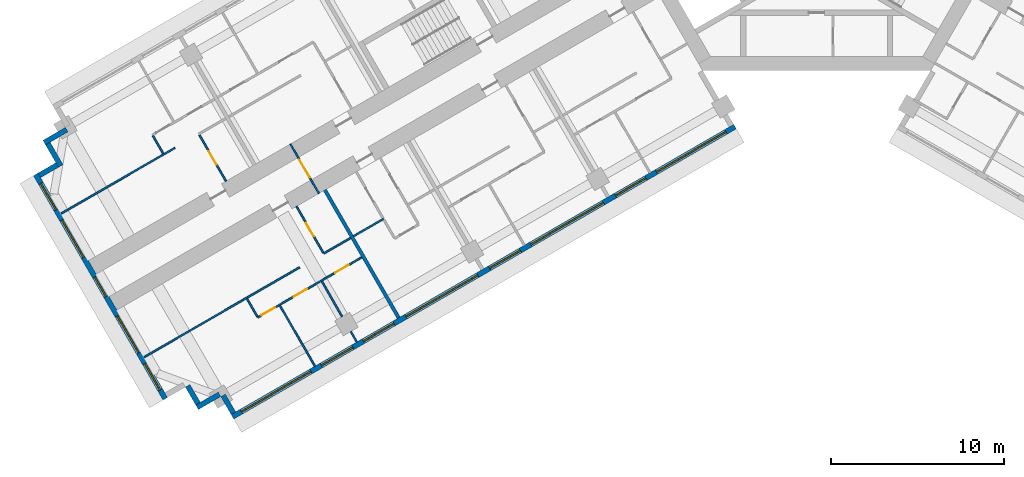
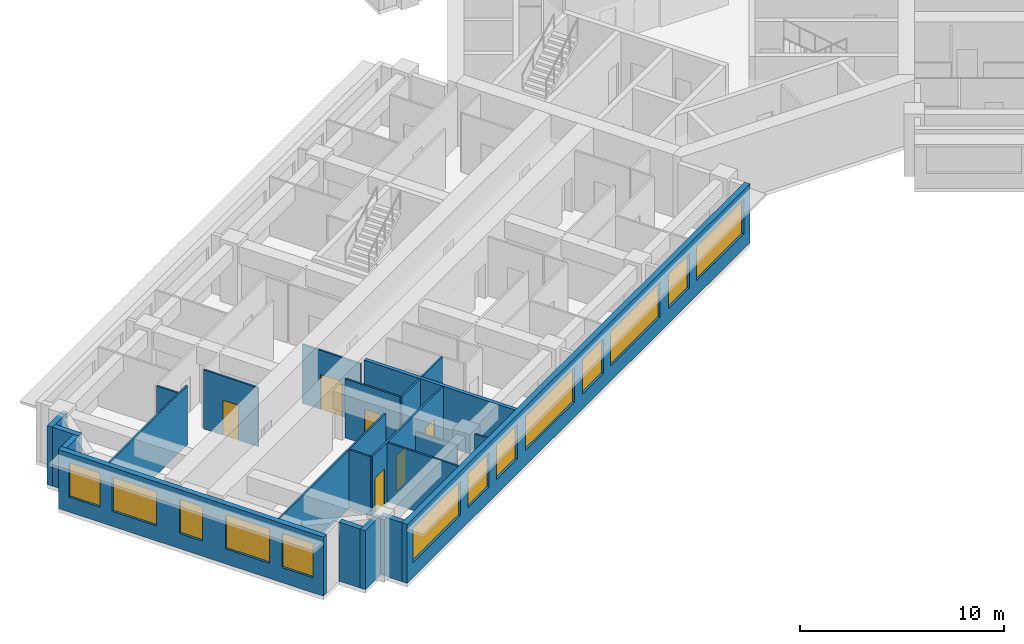
# One storey, part 3 of 14: 22 walls, 13 windows, 6 doors, 19 openings.
"""IFC4 building model written with IfcOpenShell, lengths in metres."""

from ifc_helpers import new_model, si_unit, direction, frame, frame_2d, origin, place, context, subcontext, project, spatial, rectangle, extrude, material, layer, layer_set, type_object, element, fill, save


model = new_model("IFC4")

# Units and contexts
model_context = context("Model", 3, precision=1e-05, world=origin(), true_north=direction((0.0, 1.0)))
body_context = subcontext(model_context, "Body", "Model", "MODEL_VIEW")
ifc_project = project(units=[si_unit("LENGTHUNIT", "METRE"), si_unit("AREAUNIT", "SQUARE_METRE"), si_unit("VOLUMEUNIT", "CUBIC_METRE"), si_unit("PLANEANGLEUNIT", "RADIAN"), si_unit("MASSUNIT", "GRAM", prefix="KILO")], contexts=[model_context])

# Site, building, storey
site_placement = place(None, origin())
site = spatial("IfcSite", under=ifc_project, at=site_placement, CompositionType="ELEMENT")
building_placement = place(site_placement, origin())
building = spatial("IfcBuilding", under=site, at=building_placement, Name="Impinga Residences", CompositionType="ELEMENT")
storey_placement = place(building_placement, frame((0.0, 0.0, 117.25)))
storey = spatial("IfcBuildingStorey", under=building, at=storey_placement, Name="L28", CompositionType="ELEMENT", Elevation=117.25)

# Wall, opening, door
ifc_material_1 = material(Name="Concrete blockwork", Category="masonry")
ifc_layer_1 = layer(ifc_material_1, 0.10009765625)
ifc_layer_set_1 = layer_set([ifc_layer_1], Name="CP1 core room partition, blockwork 100")
wall_type_1 = type_object("IfcWallType", Name="CP1 core room partition, blockwork 100", PredefinedType="PARTITIONING", material=ifc_layer_set_1)
wall_1_placement = place(storey_placement, frame((-28.8203125, -18.544677734375, 0.0), z_axis=(0.0, 0.0, 1.0), x_axis=(-0.50002983664, 0.866008176907, 0.0)))
wall_1 = element("IfcWall", 1, at=wall_1_placement, inside=storey, type_object=wall_type_1, Name="Core room partition, blockwork L28:W:PLB", PredefinedType="PARTITIONING", context=body_context, shape_type="SweptSolid", body=[
    extrude(rectangle(XDim=3.300048828125, YDim=0.10009765625, at=frame_2d((1.64990234375, 0.0))), origin(), (0.0, 0.0, 1.0), 3.530029296875),
])
opening_1_placement = place(wall_1_placement, frame((1.050048828125, 0.0, 0.0)))
opening_1 = element("IfcOpeningElement", 2, at=opening_1_placement, cuts=wall_1, Name="Opening D3", PredefinedType="OPENING", context=body_context, shape_type="SweptSolid", body=[
    extrude(rectangle(XDim=1.199951171875, YDim=2.10009765625, at=frame_2d((0.60009765625, 1.050048828125))), frame((0.0, 0.06005859375, 0.0), z_axis=(0.0, -1.0, 0.0), x_axis=(1.0, 0.0, 0.0)), (0.0, 0.0, 1.0), 0.1201171875),
])
ifc_material_2 = material(Name="Timber door set", Category="wood")
door_type_1 = type_object("IfcDoorType", Name="D3 room door, leaf and a half 1200x2100", OperationType="DOUBLE_SWING_LEFT", PredefinedType="DOOR", material=ifc_material_2)
door_1_placement = place(opening_1_placement, origin())
door_1 = element("IfcDoor", 3, at=door_1_placement, inside=storey, type_object=door_type_1, Name="Private lobby door W", OperationType="DOUBLE_SWING_LEFT", OverallHeight=2.10009765625, OverallWidth=1.199951171875, PredefinedType="DOOR", context=body_context, shape_type="SweptSolid", body=[
    extrude(rectangle(XDim=1.199951171875, YDim=2.10009765625, at=frame_2d((0.60009765625, 1.050048828125))), frame((0.0, 0.02490234375, 0.0), z_axis=(0.0, -1.0, 0.0), x_axis=(1.0, 0.0, 0.0)), (0.0, 0.0, 1.0), 0.050048828125),
])
fill(opening_1, door_1)

# Walls
ifc_material_3 = material(Name="Terracotta rainscreen on blockwork", Category="masonry")
ifc_layer_2 = layer(ifc_material_3, 0.300048828125)
ifc_layer_set_2 = layer_set([ifc_layer_2], Name="EW1 external wall, terracotta rainscreen on blockwork 300")
wall_type_2 = type_object("IfcWallType", Name="EW1 external wall, terracotta rainscreen on blockwork 300", PredefinedType="SOLIDWALL", material=ifc_layer_set_2)
wall_2_placement = place(storey_placement, frame((-33.7685546875, -31.274169921875, 0.0), z_axis=(0.0, 0.0, 1.0), x_axis=(-0.499940577336, 0.866059708757, 0.0)))
element("IfcWall", 4, at=wall_2_placement, inside=storey, type_object=wall_type_2, Name="External wall EW1 L28", PredefinedType="SOLIDWALL", context=body_context, shape_type="SweptSolid", body=[
    extrude(rectangle(XDim=1.195068359375, YDim=0.300048828125, at=frame_2d((0.59765625, 0.0))), origin(), (0.0, 0.0, 1.0), 3.530029296875),
])
wall_3_placement = place(storey_placement, frame((-34.573486328125, -30.18017578125, 0.0), z_axis=(0.0, 0.0, 1.0), x_axis=(-0.866031096941, -0.499990139034, 0.0)))
element("IfcWall", 5, at=wall_3_placement, inside=storey, type_object=wall_type_2, Name="External wall EW1 L28", PredefinedType="SOLIDWALL", context=body_context, shape_type="SweptSolid", body=[
    extrude(rectangle(XDim=1.5, YDim=0.300048828125, at=frame_2d((0.75, 0.0))), origin(), (0.0, 0.0, 1.0), 3.530029296875),
])
wall_4_placement = place(storey_placement, frame((-35.817626953125, -30.72509765625, 0.0), z_axis=(0.0, 0.0, 1.0), x_axis=(-0.499969057507, 0.866043267704, 0.0)))
element("IfcWall", 6, at=wall_4_placement, inside=storey, type_object=wall_type_2, Name="External wall EW1 L28", PredefinedType="SOLIDWALL", context=body_context, shape_type="SweptSolid", body=[
    extrude(rectangle(XDim=1.19970703125, YDim=0.300048828125, at=frame_2d((0.599853515625, 0.0))), origin(), (0.0, 0.0, 1.0), 3.530029296875),
])

# Wall, openings, windows
wall_5_placement = place(storey_placement, frame((-37.716552734375, -30.43603515625, 0.0), z_axis=(0.0, 0.0, 1.0), x_axis=(-0.499997186618, 0.866027028085, 0.0)))
wall_5 = element("IfcWall", 7, at=wall_5_placement, inside=storey, type_object=wall_type_2, Name="External wall EW1 L28", PredefinedType="SOLIDWALL", context=body_context, shape_type="SweptSolid", body=[
    extrude(rectangle(XDim=15.0, YDim=0.300048828125, at=frame_2d((7.5, 0.0))), origin(), (0.0, 0.0, 1.0), 3.530029296875),
])
opening_2_placement = place(wall_5_placement, frame((0.60009765625, 0.0, 0.89990234375)))
opening_2 = element("IfcOpeningElement", 8, at=opening_2_placement, cuts=wall_5, Name="Opening W1", PredefinedType="OPENING", context=body_context, shape_type="SweptSolid", body=[
    extrude(rectangle(XDim=1.75, YDim=2.050048828125, at=frame_2d((0.875, 1.02490234375))), frame((0.0, 0.159912109375, 0.0), z_axis=(0.0, -1.0, 0.0), x_axis=(1.0, 0.0, 0.0)), (0.0, 0.0, 1.0), 0.320068359375),
])
opening_3_placement = place(wall_5_placement, frame((3.050048828125, 0.0, 0.89990234375)))
opening_3 = element("IfcOpeningElement", 9, at=opening_3_placement, cuts=wall_5, Name="Opening W2", PredefinedType="OPENING", context=body_context, shape_type="SweptSolid", body=[
    extrude(rectangle(XDim=2.5, YDim=2.050048828125, at=frame_2d((1.25, 1.02490234375))), frame((0.0, 0.159912109375, 0.0), z_axis=(0.0, -1.0, 0.0), x_axis=(1.0, 0.0, 0.0)), (0.0, 0.0, 1.0), 0.320068359375),
])
opening_4_placement = place(wall_5_placement, frame((6.85009765625, 0.0, 0.89990234375)))
opening_4 = element("IfcOpeningElement", 10, at=opening_4_placement, cuts=wall_5, Name="Opening W17", PredefinedType="OPENING", context=body_context, shape_type="SweptSolid", body=[
    extrude(rectangle(XDim=1.300048828125, YDim=2.050048828125, at=frame_2d((0.64990234375, 1.02490234375))), frame((0.0, 0.159912109375, 0.0), z_axis=(0.0, -1.0, 0.0), x_axis=(1.0, 0.0, 0.0)), (0.0, 0.0, 1.0), 0.320068359375),
])
opening_5_placement = place(wall_5_placement, frame((9.449951171875, 0.0, 0.89990234375)))
opening_5 = element("IfcOpeningElement", 11, at=opening_5_placement, cuts=wall_5, Name="Opening W2", PredefinedType="OPENING", context=body_context, shape_type="SweptSolid", body=[
    extrude(rectangle(XDim=2.5, YDim=2.050048828125, at=frame_2d((1.25, 1.02490234375))), frame((0.0, 0.159912109375, 0.0), z_axis=(0.0, -1.0, 0.0), x_axis=(1.0, 0.0, 0.0)), (0.0, 0.0, 1.0), 0.320068359375),
])
opening_6_placement = place(wall_5_placement, frame((12.64990234375, 0.0, 0.89990234375)))
opening_6 = element("IfcOpeningElement", 12, at=opening_6_placement, cuts=wall_5, Name="Opening W1", PredefinedType="OPENING", context=body_context, shape_type="SweptSolid", body=[
    extrude(rectangle(XDim=1.75, YDim=2.050048828125, at=frame_2d((0.875, 1.02490234375))), frame((0.0, 0.159912109375, 0.0), z_axis=(0.0, -1.0, 0.0), x_axis=(1.0, 0.0, 0.0)), (0.0, 0.0, 1.0), 0.320068359375),
])
ifc_material_4 = material(Name="Aluminium window, clear double glazing", Category="aluminium")
window_type_1 = type_object("IfcWindowType", Name="W1 ribbon window 1750x2050", PartitioningType="SINGLE_PANEL", PredefinedType="WINDOW", material=ifc_material_4)
window_1_placement = place(opening_2_placement, origin())
window_1 = element("IfcWindow", 13, at=window_1_placement, inside=storey, type_object=window_type_1, Name="Window L28", OverallHeight=2.050048828125, OverallWidth=1.75, PartitioningType="SINGLE_PANEL", PredefinedType="WINDOW", context=body_context, shape_type="SweptSolid", body=[
    extrude(rectangle(XDim=1.75, YDim=2.050048828125, at=frame_2d((0.875, 1.02490234375))), frame((0.0, 0.030029296875, 0.0), z_axis=(0.0, -1.0, 0.0), x_axis=(1.0, 0.0, 0.0)), (0.0, 0.0, 1.0), 0.06005859375),
])
fill(opening_2, window_1)
window_2_placement = place(opening_6_placement, origin())
window_2 = element("IfcWindow", 14, at=window_2_placement, inside=storey, type_object=window_type_1, Name="Window L28", OverallHeight=2.050048828125, OverallWidth=1.75, PartitioningType="SINGLE_PANEL", PredefinedType="WINDOW", context=body_context, shape_type="SweptSolid", body=[
    extrude(rectangle(XDim=1.75, YDim=2.050048828125, at=frame_2d((0.875, 1.02490234375))), frame((0.0, 0.030029296875, 0.0), z_axis=(0.0, -1.0, 0.0), x_axis=(1.0, 0.0, 0.0)), (0.0, 0.0, 1.0), 0.06005859375),
])
fill(opening_6, window_2)
window_type_2 = type_object("IfcWindowType", Name="W17 ribbon window 1300x2050", PartitioningType="SINGLE_PANEL", PredefinedType="WINDOW", material=ifc_material_4)
window_3_placement = place(opening_4_placement, origin())
window_3 = element("IfcWindow", 15, at=window_3_placement, inside=storey, type_object=window_type_2, Name="Window L28", OverallHeight=2.050048828125, OverallWidth=1.300048828125, PartitioningType="SINGLE_PANEL", PredefinedType="WINDOW", context=body_context, shape_type="SweptSolid", body=[
    extrude(rectangle(XDim=1.300048828125, YDim=2.050048828125, at=frame_2d((0.64990234375, 1.02490234375))), frame((0.0, 0.030029296875, 0.0), z_axis=(0.0, -1.0, 0.0), x_axis=(1.0, 0.0, 0.0)), (0.0, 0.0, 1.0), 0.06005859375),
])
fill(opening_4, window_3)
window_type_3 = type_object("IfcWindowType", Name="W2 ribbon window 2500x2050", PartitioningType="SINGLE_PANEL", PredefinedType="WINDOW", material=ifc_material_4)
window_4_placement = place(opening_3_placement, origin())
window_4 = element("IfcWindow", 16, at=window_4_placement, inside=storey, type_object=window_type_3, Name="Window L28", OverallHeight=2.050048828125, OverallWidth=2.5, PartitioningType="SINGLE_PANEL", PredefinedType="WINDOW", context=body_context, shape_type="SweptSolid", body=[
    extrude(rectangle(XDim=2.5, YDim=2.050048828125, at=frame_2d((1.25, 1.02490234375))), frame((0.0, 0.030029296875, 0.0), z_axis=(0.0, -1.0, 0.0), x_axis=(1.0, 0.0, 0.0)), (0.0, 0.0, 1.0), 0.06005859375),
])
fill(opening_3, window_4)
window_5_placement = place(opening_5_placement, origin())
window_5 = element("IfcWindow", 17, at=window_5_placement, inside=storey, type_object=window_type_3, Name="Window L28", OverallHeight=2.050048828125, OverallWidth=2.5, PartitioningType="SINGLE_PANEL", PredefinedType="WINDOW", context=body_context, shape_type="SweptSolid", body=[
    extrude(rectangle(XDim=2.5, YDim=2.050048828125, at=frame_2d((1.25, 1.02490234375))), frame((0.0, 0.030029296875, 0.0), z_axis=(0.0, -1.0, 0.0), x_axis=(1.0, 0.0, 0.0)), (0.0, 0.0, 1.0), 0.06005859375),
])
fill(opening_5, window_5)

# Walls
wall_6_placement = place(storey_placement, frame((-45.01171875, -17.50048828125, 0.0), z_axis=(0.0, 0.0, 1.0), x_axis=(0.866059708757, 0.499940577336, 0.0)))
element("IfcWall", 18, at=wall_6_placement, inside=storey, type_object=wall_type_2, Name="External wall EW1 L28", PredefinedType="SOLIDWALL", context=body_context, shape_type="SweptSolid", body=[
    extrude(rectangle(XDim=1.195068359375, YDim=0.300048828125, at=frame_2d((0.59765625, 0.0))), origin(), (0.0, 0.0, 1.0), 3.530029296875),
])
for number, where, z_axis, x_axis, name in (
    (19, (-43.767578125, -16.955322265625, 0.0), (0.0, 0.0, 1.0), (-0.499990139034, 0.866031096941, 0.0), "External wall EW1 L28"),
    (20, (-44.722412109375, -15.6015625, 0.0), (0.0, 0.0, 1.0), (0.866031096941, 0.499990139034, 0.0), "External wall EW1 L28"),
):
    element("IfcWall", number, at=place(storey_placement, frame(where, z_axis=z_axis, x_axis=x_axis)), inside=storey, type_object=wall_type_2, Name=name, PredefinedType="SOLIDWALL", context=body_context, shape_type="SweptSolid", body=[
        extrude(rectangle(XDim=1.5, YDim=0.300048828125, at=frame_2d((0.75, 0.0))), origin(), (0.0, 0.0, 1.0), 3.530029296875),
    ])

# Wall, openings, windows
wall_7_placement = place(storey_placement, frame((-4.72509765625, -14.67919921875, 0.0), z_axis=(0.0, 0.0, 1.0), x_axis=(-0.866024291668, -0.500001926238, 0.0)))
wall_7 = element("IfcWall", 21, at=wall_7_placement, inside=storey, type_object=wall_type_2, Name="External wall EW1 L28", PredefinedType="SOLIDWALL", context=body_context, shape_type="SweptSolid", body=[
    extrude(rectangle(XDim=33.599853515625, YDim=0.300048828125, at=frame_2d((16.7998046875, 0.0))), origin(), (0.0, 0.0, 1.0), 3.530029296875),
])
opening_7_placement = place(wall_7_placement, frame((0.60009765625, 0.0, 0.89990234375)))
opening_7 = element("IfcOpeningElement", 22, at=opening_7_placement, cuts=wall_7, Name="Opening W10", PredefinedType="OPENING", context=body_context, shape_type="SweptSolid", body=[
    extrude(rectangle(XDim=4.64990234375, YDim=2.050048828125, at=frame_2d((2.324951171875, 1.02490234375))), frame((0.0, 0.159912109375, 0.0), z_axis=(0.0, -1.0, 0.0), x_axis=(1.0, 0.0, 0.0)), (0.0, 0.0, 1.0), 0.320068359375),
])
opening_8_placement = place(wall_7_placement, frame((5.949951171875, 0.0, 0.89990234375)))
opening_8 = element("IfcOpeningElement", 23, at=opening_8_placement, cuts=wall_7, Name="Opening W14", PredefinedType="OPENING", context=body_context, shape_type="SweptSolid", body=[
    extrude(rectangle(XDim=2.050048828125, YDim=2.050048828125, at=frame_2d((1.02490234375, 1.02490234375))), frame((0.0, 0.159912109375, 0.0), z_axis=(0.0, -1.0, 0.0), x_axis=(1.0, 0.0, 0.0)), (0.0, 0.0, 1.0), 0.320068359375),
])
opening_9_placement = place(wall_7_placement, frame((8.800048828125, 0.0, 0.89990234375)))
opening_9 = element("IfcOpeningElement", 24, at=opening_9_placement, cuts=wall_7, Name="Opening W6", PredefinedType="OPENING", context=body_context, shape_type="SweptSolid", body=[
    extrude(rectangle(XDim=4.85009765625, YDim=2.050048828125, at=frame_2d((2.425048828125, 1.02490234375))), frame((0.0, 0.159912109375, 0.0), z_axis=(0.0, -1.0, 0.0), x_axis=(1.0, 0.0, 0.0)), (0.0, 0.0, 1.0), 0.320068359375),
])
opening_10_placement = place(wall_7_placement, frame((14.35009765625, 0.0, 0.89990234375)))
opening_10 = element("IfcOpeningElement", 25, at=opening_10_placement, cuts=wall_7, Name="Opening W14", PredefinedType="OPENING", context=body_context, shape_type="SweptSolid", body=[
    extrude(rectangle(XDim=2.050048828125, YDim=2.050048828125, at=frame_2d((1.02490234375, 1.02490234375))), frame((0.0, 0.159912109375, 0.0), z_axis=(0.0, -1.0, 0.0), x_axis=(1.0, 0.0, 0.0)), (0.0, 0.0, 1.0), 0.320068359375),
])
opening_11_placement = place(wall_7_placement, frame((17.199951171875, 0.0, 0.89990234375)))
opening_11 = element("IfcOpeningElement", 26, at=opening_11_placement, cuts=wall_7, Name="Opening W8", PredefinedType="OPENING", context=body_context, shape_type="SweptSolid", body=[
    extrude(rectangle(XDim=4.800048828125, YDim=2.050048828125, at=frame_2d((2.39990234375, 1.02490234375))), frame((0.0, 0.159912109375, 0.0), z_axis=(0.0, -1.0, 0.0), x_axis=(1.0, 0.0, 0.0)), (0.0, 0.0, 1.0), 0.320068359375),
])
opening_12_placement = place(wall_7_placement, frame((22.800048828125, 0.0, 0.89990234375)))
opening_12 = element("IfcOpeningElement", 27, at=opening_12_placement, cuts=wall_7, Name="Opening W14", PredefinedType="OPENING", context=body_context, shape_type="SweptSolid", body=[
    extrude(rectangle(XDim=2.050048828125, YDim=2.050048828125, at=frame_2d((1.02490234375, 1.02490234375))), frame((0.0, 0.159912109375, 0.0), z_axis=(0.0, -1.0, 0.0), x_axis=(1.0, 0.0, 0.0)), (0.0, 0.0, 1.0), 0.320068359375),
])
opening_13_placement = place(wall_7_placement, frame((25.550048828125, 0.0, 0.89990234375)))
opening_13 = element("IfcOpeningElement", 28, at=opening_13_placement, cuts=wall_7, Name="Opening W9", PredefinedType="OPENING", context=body_context, shape_type="SweptSolid", body=[
    extrude(rectangle(XDim=2.10009765625, YDim=2.050048828125, at=frame_2d((1.050048828125, 1.02490234375))), frame((0.0, 0.159912109375, 0.0), z_axis=(0.0, -1.0, 0.0), x_axis=(1.0, 0.0, 0.0)), (0.0, 0.0, 1.0), 0.320068359375),
])
opening_14_placement = place(wall_7_placement, frame((28.35009765625, 0.0, 0.89990234375)))
opening_14 = element("IfcOpeningElement", 29, at=opening_14_placement, cuts=wall_7, Name="Opening W10", PredefinedType="OPENING", context=body_context, shape_type="SweptSolid", body=[
    extrude(rectangle(XDim=4.64990234375, YDim=2.050048828125, at=frame_2d((2.324951171875, 1.02490234375))), frame((0.0, 0.159912109375, 0.0), z_axis=(0.0, -1.0, 0.0), x_axis=(1.0, 0.0, 0.0)), (0.0, 0.0, 1.0), 0.320068359375),
])
window_type_4 = type_object("IfcWindowType", Name="W10 ribbon window 4650x2050", PartitioningType="SINGLE_PANEL", PredefinedType="WINDOW", material=ifc_material_4)
window_6_placement = place(opening_7_placement, origin())
window_6 = element("IfcWindow", 30, at=window_6_placement, inside=storey, type_object=window_type_4, Name="Window L28", OverallHeight=2.050048828125, OverallWidth=4.64990234375, PartitioningType="SINGLE_PANEL", PredefinedType="WINDOW", context=body_context, shape_type="SweptSolid", body=[
    extrude(rectangle(XDim=4.64990234375, YDim=2.050048828125, at=frame_2d((2.324951171875, 1.02490234375))), frame((0.0, 0.030029296875, 0.0), z_axis=(0.0, -1.0, 0.0), x_axis=(1.0, 0.0, 0.0)), (0.0, 0.0, 1.0), 0.06005859375),
])
fill(opening_7, window_6)
window_7_placement = place(opening_14_placement, origin())
window_7 = element("IfcWindow", 31, at=window_7_placement, inside=storey, type_object=window_type_4, Name="Window L28", OverallHeight=2.050048828125, OverallWidth=4.64990234375, PartitioningType="SINGLE_PANEL", PredefinedType="WINDOW", context=body_context, shape_type="SweptSolid", body=[
    extrude(rectangle(XDim=4.64990234375, YDim=2.050048828125, at=frame_2d((2.324951171875, 1.02490234375))), frame((0.0, 0.030029296875, 0.0), z_axis=(0.0, -1.0, 0.0), x_axis=(1.0, 0.0, 0.0)), (0.0, 0.0, 1.0), 0.06005859375),
])
fill(opening_14, window_7)
window_type_5 = type_object("IfcWindowType", Name="W14 ribbon window 2050x2050", PartitioningType="SINGLE_PANEL", PredefinedType="WINDOW", material=ifc_material_4)
window_8_placement = place(opening_8_placement, origin())
window_8 = element("IfcWindow", 32, at=window_8_placement, inside=storey, type_object=window_type_5, Name="Window L28", OverallHeight=2.050048828125, OverallWidth=2.050048828125, PartitioningType="SINGLE_PANEL", PredefinedType="WINDOW", context=body_context, shape_type="SweptSolid", body=[
    extrude(rectangle(XDim=2.050048828125, YDim=2.050048828125, at=frame_2d((1.02490234375, 1.02490234375))), frame((0.0, 0.030029296875, 0.0), z_axis=(0.0, -1.0, 0.0), x_axis=(1.0, 0.0, 0.0)), (0.0, 0.0, 1.0), 0.06005859375),
])
fill(opening_8, window_8)
window_9_placement = place(opening_10_placement, origin())
window_9 = element("IfcWindow", 33, at=window_9_placement, inside=storey, type_object=window_type_5, Name="Window L28", OverallHeight=2.050048828125, OverallWidth=2.050048828125, PartitioningType="SINGLE_PANEL", PredefinedType="WINDOW", context=body_context, shape_type="SweptSolid", body=[
    extrude(rectangle(XDim=2.050048828125, YDim=2.050048828125, at=frame_2d((1.02490234375, 1.02490234375))), frame((0.0, 0.030029296875, 0.0), z_axis=(0.0, -1.0, 0.0), x_axis=(1.0, 0.0, 0.0)), (0.0, 0.0, 1.0), 0.06005859375),
])
fill(opening_10, window_9)
window_10_placement = place(opening_12_placement, origin())
window_10 = element("IfcWindow", 34, at=window_10_placement, inside=storey, type_object=window_type_5, Name="Window L28", OverallHeight=2.050048828125, OverallWidth=2.050048828125, PartitioningType="SINGLE_PANEL", PredefinedType="WINDOW", context=body_context, shape_type="SweptSolid", body=[
    extrude(rectangle(XDim=2.050048828125, YDim=2.050048828125, at=frame_2d((1.02490234375, 1.02490234375))), frame((0.0, 0.030029296875, 0.0), z_axis=(0.0, -1.0, 0.0), x_axis=(1.0, 0.0, 0.0)), (0.0, 0.0, 1.0), 0.06005859375),
])
fill(opening_12, window_10)
window_type_6 = type_object("IfcWindowType", Name="W6 ribbon window 4850x2050", PartitioningType="SINGLE_PANEL", PredefinedType="WINDOW", material=ifc_material_4)
window_11_placement = place(opening_9_placement, origin())
window_11 = element("IfcWindow", 35, at=window_11_placement, inside=storey, type_object=window_type_6, Name="Window L28", OverallHeight=2.050048828125, OverallWidth=4.85009765625, PartitioningType="SINGLE_PANEL", PredefinedType="WINDOW", context=body_context, shape_type="SweptSolid", body=[
    extrude(rectangle(XDim=4.85009765625, YDim=2.050048828125, at=frame_2d((2.425048828125, 1.02490234375))), frame((0.0, 0.030029296875, 0.0), z_axis=(0.0, -1.0, 0.0), x_axis=(1.0, 0.0, 0.0)), (0.0, 0.0, 1.0), 0.06005859375),
])
fill(opening_9, window_11)
window_type_7 = type_object("IfcWindowType", Name="W8 ribbon window 4800x2050", PartitioningType="SINGLE_PANEL", PredefinedType="WINDOW", material=ifc_material_4)
window_12_placement = place(opening_11_placement, origin())
window_12 = element("IfcWindow", 36, at=window_12_placement, inside=storey, type_object=window_type_7, Name="Window L28", OverallHeight=2.050048828125, OverallWidth=4.800048828125, PartitioningType="SINGLE_PANEL", PredefinedType="WINDOW", context=body_context, shape_type="SweptSolid", body=[
    extrude(rectangle(XDim=4.800048828125, YDim=2.050048828125, at=frame_2d((2.39990234375, 1.02490234375))), frame((0.0, 0.030029296875, 0.0), z_axis=(0.0, -1.0, 0.0), x_axis=(1.0, 0.0, 0.0)), (0.0, 0.0, 1.0), 0.06005859375),
])
fill(opening_11, window_12)
window_type_8 = type_object("IfcWindowType", Name="W9 ribbon window 2100x2050", PartitioningType="SINGLE_PANEL", PredefinedType="WINDOW", material=ifc_material_4)
window_13_placement = place(opening_13_placement, origin())
window_13 = element("IfcWindow", 37, at=window_13_placement, inside=storey, type_object=window_type_8, Name="Window L28", OverallHeight=2.050048828125, OverallWidth=2.10009765625, PartitioningType="SINGLE_PANEL", PredefinedType="WINDOW", context=body_context, shape_type="SweptSolid", body=[
    extrude(rectangle(XDim=2.10009765625, YDim=2.050048828125, at=frame_2d((1.050048828125, 1.02490234375))), frame((0.0, 0.030029296875, 0.0), z_axis=(0.0, -1.0, 0.0), x_axis=(1.0, 0.0, 0.0)), (0.0, 0.0, 1.0), 0.06005859375),
])
fill(opening_13, window_13)

# Walls
ifc_material_5 = material(Name="Gypsum board on steel studs", Category="steel")
ifc_layer_3 = layer(ifc_material_5, 0.10009765625)
ifc_layer_set_3 = layer_set([ifc_layer_3], Name="Gypsum board on steel studs")
wall_type_3 = type_object("IfcWallType", Name="IP1 partition 100", PredefinedType="PARTITIONING", material=ifc_layer_set_3)
wall_8_placement = place(storey_placement, frame((-25.080322265625, -20.022705078125, 0.0), z_axis=(0.0, 0.0, 1.0), x_axis=(-0.866010750942, -0.50002537861, 0.0)))
element("IfcWall", 38, at=wall_8_placement, inside=storey, type_object=wall_type_3, Name="Partition L28-WA3:DIV1", PredefinedType="PARTITIONING", context=body_context, shape_type="SweptSolid", body=[
    extrude(rectangle(XDim=2.0, YDim=0.10009765625, at=frame_2d((1.0, 0.0))), origin(), (0.0, 0.0, 1.0), 3.530029296875),
])
wall_9_placement = place(storey_placement, frame((-26.985595703125, -21.122802734375, 0.0), z_axis=(0.0, 0.0, 1.0), x_axis=(-0.866047807691, -0.499961193289, 0.0)))
element("IfcWall", 39, at=wall_9_placement, inside=storey, type_object=wall_type_3, Name="Partition L28-WA4:DIV0", PredefinedType="PARTITIONING", context=body_context, shape_type="SweptSolid", body=[
    extrude(rectangle(XDim=1.800048828125, YDim=0.10009765625, at=frame_2d((0.89990234375, 0.0))), origin(), (0.0, 0.0, 1.0), 3.530029296875),
])
wall_10_placement = place(storey_placement, frame((-29.93017578125, -22.82275390625, 0.0), z_axis=(0.0, 0.0, 1.0), x_axis=(-0.866025696342, -0.499999493275, 0.0)))
element("IfcWall", 40, at=wall_10_placement, inside=storey, type_object=wall_type_3, Name="Partition L28-WA4:DIV1", PredefinedType="PARTITIONING", context=body_context, shape_type="SweptSolid", body=[
    extrude(rectangle(XDim=10.39990234375, YDim=0.10009765625, at=frame_2d((5.199951171875, 0.0))), origin(), (0.0, 0.0, 1.0), 3.530029296875),
])

# Wall, openings, doors
wall_11_placement = place(storey_placement, frame((-26.335693359375, -22.24853515625, 0.0), z_axis=(0.0, 0.0, 1.0), x_axis=(-0.866016523273, -0.500015381182, 0.0)))
wall_11 = element("IfcWall", 41, at=wall_11_placement, inside=storey, type_object=wall_type_3, Name="Partition L28-WA4:STRIP", PredefinedType="PARTITIONING", context=body_context, shape_type="SweptSolid", body=[
    extrude(rectangle(XDim=6.949951171875, YDim=0.10009765625, at=frame_2d((3.47509765625, 0.0))), origin(), (0.0, 0.0, 1.0), 3.530029296875),
])
opening_15_placement = place(wall_11_placement, frame((0.875, 0.0, 0.0)))
opening_15 = element("IfcOpeningElement", 42, at=opening_15_placement, cuts=wall_11, Name="Opening D2", PredefinedType="OPENING", context=body_context, shape_type="SweptSolid", body=[
    extrude(rectangle(XDim=0.89990234375, YDim=2.10009765625, at=frame_2d((0.449951171875, 1.050048828125))), frame((0.0, 0.06005859375, 0.0), z_axis=(0.0, -1.0, 0.0), x_axis=(1.0, 0.0, 0.0)), (0.0, 0.0, 1.0), 0.1201171875),
])
opening_16_placement = place(wall_11_placement, frame((3.64990234375, 0.0, 0.0)))
opening_16 = element("IfcOpeningElement", 43, at=opening_16_placement, cuts=wall_11, Name="Opening D2", PredefinedType="OPENING", context=body_context, shape_type="SweptSolid", body=[
    extrude(rectangle(XDim=0.89990234375, YDim=2.10009765625, at=frame_2d((0.449951171875, 1.050048828125))), frame((0.0, 0.06005859375, 0.0), z_axis=(0.0, -1.0, 0.0), x_axis=(1.0, 0.0, 0.0)), (0.0, 0.0, 1.0), 0.1201171875),
])
opening_17_placement = place(wall_11_placement, frame((5.800048828125, 0.0, 0.0)))
opening_17 = element("IfcOpeningElement", 44, at=opening_17_placement, cuts=wall_11, Name="Opening D2", PredefinedType="OPENING", context=body_context, shape_type="SweptSolid", body=[
    extrude(rectangle(XDim=0.89990234375, YDim=2.10009765625, at=frame_2d((0.449951171875, 1.050048828125))), frame((0.0, 0.06005859375, 0.0), z_axis=(0.0, -1.0, 0.0), x_axis=(1.0, 0.0, 0.0)), (0.0, 0.0, 1.0), 0.1201171875),
])
door_type_2 = type_object("IfcDoorType", Name="D2 internal door 900x2100", OperationType="SINGLE_SWING_LEFT", PredefinedType="DOOR", material=ifc_material_2)
door_2_placement = place(opening_15_placement, origin())
door_2 = element("IfcDoor", 45, at=door_2_placement, inside=storey, type_object=door_type_2, Name="Apartment L28-WA4 room door", OperationType="SINGLE_SWING_LEFT", OverallHeight=2.10009765625, OverallWidth=0.89990234375, PredefinedType="DOOR", context=body_context, shape_type="SweptSolid", body=[
    extrude(rectangle(XDim=0.89990234375, YDim=2.10009765625, at=frame_2d((0.449951171875, 1.050048828125))), frame((0.0, 0.02490234375, 0.0), z_axis=(0.0, -1.0, 0.0), x_axis=(1.0, 0.0, 0.0)), (0.0, 0.0, 1.0), 0.050048828125),
])
fill(opening_15, door_2)
door_3_placement = place(opening_16_placement, origin())
door_3 = element("IfcDoor", 46, at=door_3_placement, inside=storey, type_object=door_type_2, Name="Apartment L28-WA4 room door", OperationType="SINGLE_SWING_RIGHT", OverallHeight=2.10009765625, OverallWidth=0.89990234375, PredefinedType="DOOR", context=body_context, shape_type="SweptSolid", body=[
    extrude(rectangle(XDim=0.89990234375, YDim=2.10009765625, at=frame_2d((0.449951171875, 1.050048828125))), frame((0.0, 0.02490234375, 0.0), z_axis=(0.0, -1.0, 0.0), x_axis=(1.0, 0.0, 0.0)), (0.0, 0.0, 1.0), 0.050048828125),
])
fill(opening_16, door_3)
door_4_placement = place(opening_17_placement, origin())
door_4 = element("IfcDoor", 47, at=door_4_placement, inside=storey, type_object=door_type_2, Name="Apartment L28-WA4 room door", OperationType="SINGLE_SWING_RIGHT", OverallHeight=2.10009765625, OverallWidth=0.89990234375, PredefinedType="DOOR", context=body_context, shape_type="SweptSolid", body=[
    extrude(rectangle(XDim=0.89990234375, YDim=2.10009765625, at=frame_2d((0.449951171875, 1.050048828125))), frame((0.0, 0.02490234375, 0.0), z_axis=(0.0, -1.0, 0.0), x_axis=(1.0, 0.0, 0.0)), (0.0, 0.0, 1.0), 0.050048828125),
])
fill(opening_17, door_4)

# Wall
wall_12_placement = place(storey_placement, frame((-32.9794921875, -24.640869140625, 0.0), z_axis=(0.0, 0.0, 1.0), x_axis=(0.500033551112, -0.866006032174, 0.0)))
element("IfcWall", 48, at=wall_12_placement, inside=storey, type_object=wall_type_3, Name="Partition L28-WA4:SE1", PredefinedType="PARTITIONING", context=body_context, shape_type="SweptSolid", body=[
    extrude(rectangle(XDim=1.2001953125, YDim=0.10009765625, at=frame_2d((0.60009765625, 0.0))), origin(), (0.0, 0.0, 1.0), 3.530029296875),
])

# Wall, opening, door
wall_13_placement = place(storey_placement, frame((-30.119384765625, -19.294677734375, 0.0), z_axis=(0.0, 0.0, 1.0), x_axis=(0.49999285859, -0.86602952684, 0.0)))
wall_13 = element("IfcWall", 49, at=wall_13_placement, inside=storey, type_object=wall_type_3, Name="Partition L28-WA4:IB1", PredefinedType="PARTITIONING", context=body_context, shape_type="SweptSolid", body=[
    extrude(rectangle(XDim=3.10009765625, YDim=0.10009765625, at=frame_2d((1.550048828125, 0.0))), origin(), (0.0, 0.0, 1.0), 3.530029296875),
])
opening_18_placement = place(wall_13_placement, frame((1.10009765625, 0.0, 0.0)))
opening_18 = element("IfcOpeningElement", 50, at=opening_18_placement, cuts=wall_13, Name="Opening D2", PredefinedType="OPENING", context=body_context, shape_type="SweptSolid", body=[
    extrude(rectangle(XDim=0.89990234375, YDim=2.10009765625, at=frame_2d((0.449951171875, 1.050048828125))), frame((0.0, 0.06005859375, 0.0), z_axis=(0.0, -1.0, 0.0), x_axis=(1.0, 0.0, 0.0)), (0.0, 0.0, 1.0), 0.1201171875),
])
door_5_placement = place(opening_18_placement, origin())
door_5 = element("IfcDoor", 51, at=door_5_placement, inside=storey, type_object=door_type_2, Name="Apartment L28-WA4 bathroom door", OperationType="SINGLE_SWING_LEFT", OverallHeight=2.10009765625, OverallWidth=0.89990234375, PredefinedType="DOOR", context=body_context, shape_type="SweptSolid", body=[
    extrude(rectangle(XDim=0.89990234375, YDim=2.10009765625, at=frame_2d((0.449951171875, 1.050048828125))), frame((0.0, 0.02490234375, 0.0), z_axis=(0.0, -1.0, 0.0), x_axis=(1.0, 0.0, 0.0)), (0.0, 0.0, 1.0), 0.050048828125),
])
fill(opening_18, door_5)

# Walls
wall_14_placement = place(storey_placement, frame((-28.64892578125, -23.641845703125, 0.0), z_axis=(0.0, 0.0, 1.0), x_axis=(0.500016218704, -0.866016039709, 0.0)))
element("IfcWall", 52, at=wall_14_placement, inside=storey, type_object=wall_type_3, Name="Partition L28-WA4:OB1", PredefinedType="PARTITIONING", context=body_context, shape_type="SweptSolid", body=[
    extrude(rectangle(XDim=2.35009765625, YDim=0.10009765625, at=frame_2d((1.175048828125, 0.0))), origin(), (0.0, 0.0, 1.0), 2.47998046875),
])
wall_15_placement = place(storey_placement, frame((-26.973876953125, -26.54296875, 0.0), z_axis=(0.0, 0.0, 1.0), x_axis=(0.500114896893, -0.865959057869, 0.0)))
element("IfcWall", 53, at=wall_15_placement, inside=storey, type_object=wall_type_3, Name="Partition L28-WA4:OB1b", PredefinedType="PARTITIONING", context=body_context, shape_type="SweptSolid", body=[
    extrude(rectangle(XDim=0.699951171875, YDim=0.10009765625, at=frame_2d((0.35009765625, 0.0))), origin(), (0.0, 0.0, 1.0), 3.530029296875),
])
wall_16_placement = place(storey_placement, frame((-31.07373046875, -25.041748046875, 0.0), z_axis=(0.0, 0.0, 1.0), x_axis=(0.499964223975, -0.866046058097, 0.0)))
element("IfcWall", 54, at=wall_16_placement, inside=storey, type_object=wall_type_3, Name="Partition L28-WA4:OB2", PredefinedType="PARTITIONING", context=body_context, shape_type="SweptSolid", body=[
    extrude(rectangle(XDim=4.050048828125, YDim=0.10009765625, at=frame_2d((2.02490234375, 0.0))), origin(), (0.0, 0.0, 1.0), 3.530029296875),
])
wall_17_placement = place(storey_placement, frame((-37.155029296875, -15.908935546875, 0.0), z_axis=(0.0, 0.0, 1.0), x_axis=(-0.866036335692, -0.499981064903, 0.0)))
element("IfcWall", 55, at=wall_17_placement, inside=storey, type_object=wall_type_3, Name="Partition L28-WF3:DIV1", PredefinedType="PARTITIONING", context=body_context, shape_type="SweptSolid", body=[
    extrude(rectangle(XDim=7.599853515625, YDim=0.10009765625, at=frame_2d((3.7998046875, 0.0))), origin(), (0.0, 0.0, 1.0), 3.530029296875),
])
wall_18_placement = place(storey_placement, frame((-37.829345703125, -16.240478515625, 0.0), z_axis=(0.0, 0.0, 1.0), x_axis=(-0.50012165622, 0.865955154139, 0.0)))
element("IfcWall", 56, at=wall_18_placement, inside=storey, type_object=wall_type_3, Name="Partition L28-WF3:SE1", PredefinedType="PARTITIONING", context=body_context, shape_type="SweptSolid", body=[
    extrude(rectangle(XDim=1.199951171875, YDim=0.10009765625, at=frame_2d((0.60009765625, 0.0))), origin(), (0.0, 0.0, 1.0), 3.530029296875),
])

# Wall, opening, door
wall_19_placement = place(storey_placement, frame((-34.1943359375, -17.8369140625, 0.0), z_axis=(0.0, 0.0, 1.0), x_axis=(-0.49999285859, 0.86602952684, 0.0)))
wall_19 = element("IfcWall", 57, at=wall_19_placement, inside=storey, type_object=wall_type_3, Name="Partition L28-WF3:IB1", PredefinedType="PARTITIONING", context=body_context, shape_type="SweptSolid", body=[
    extrude(rectangle(XDim=3.10009765625, YDim=0.10009765625, at=frame_2d((1.550048828125, 0.0))), origin(), (0.0, 0.0, 1.0), 3.530029296875),
])
opening_19_placement = place(wall_19_placement, frame((1.10009765625, 0.0, 0.0)))
opening_19 = element("IfcOpeningElement", 58, at=opening_19_placement, cuts=wall_19, Name="Opening D2", PredefinedType="OPENING", context=body_context, shape_type="SweptSolid", body=[
    extrude(rectangle(XDim=0.89990234375, YDim=2.10009765625, at=frame_2d((0.449951171875, 1.050048828125))), frame((0.0, 0.06005859375, 0.0), z_axis=(0.0, -1.0, 0.0), x_axis=(1.0, 0.0, 0.0)), (0.0, 0.0, 1.0), 0.1201171875),
])
door_6_placement = place(opening_19_placement, origin())
door_6 = element("IfcDoor", 59, at=door_6_placement, inside=storey, type_object=door_type_2, Name="Apartment L28-WF3 bathroom door", OperationType="SINGLE_SWING_LEFT", OverallHeight=2.10009765625, OverallWidth=0.89990234375, PredefinedType="DOOR", context=body_context, shape_type="SweptSolid", body=[
    extrude(rectangle(XDim=0.89990234375, YDim=2.10009765625, at=frame_2d((0.449951171875, 1.050048828125))), frame((0.0, 0.02490234375, 0.0), z_axis=(0.0, -1.0, 0.0), x_axis=(1.0, 0.0, 0.0)), (0.0, 0.0, 1.0), 0.050048828125),
])
fill(opening_19, door_6)

# Wall
ifc_layer_4 = layer(ifc_material_1, 0.199951171875)
ifc_layer_set_4 = layer_set([ifc_layer_4], Name="PW1 party wall between apartments 200")
wall_type_4 = type_object("IfcWallType", Name="PW1 party wall between apartments 200", PredefinedType="SOLIDWALL", material=ifc_layer_set_4)
wall_20_placement = place(storey_placement, frame((-28.473876953125, -18.3447265625, 0.0), z_axis=(0.0, 0.0, 1.0), x_axis=(0.499990227581, -0.86603104582, 0.0)))
element("IfcWall", 60, at=wall_20_placement, inside=storey, type_object=wall_type_4, Name="Party wall between apartments L28-WA3:PARTY", PredefinedType="SOLIDWALL", context=body_context, shape_type="SweptSolid", body=[
    extrude(rectangle(XDim=8.550048828125, YDim=0.199951171875, at=frame_2d((4.27490234375, 0.0))), origin(), (0.0, 0.0, 1.0), 3.530029296875),
])

save(model, "model.ifc")
